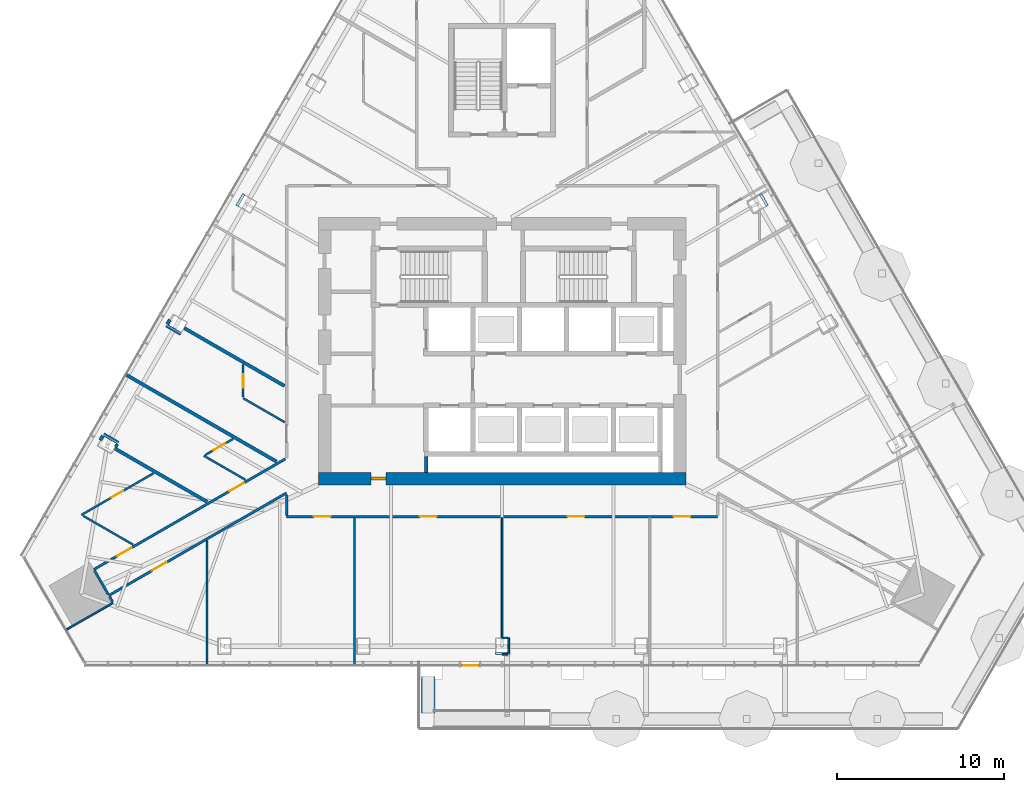
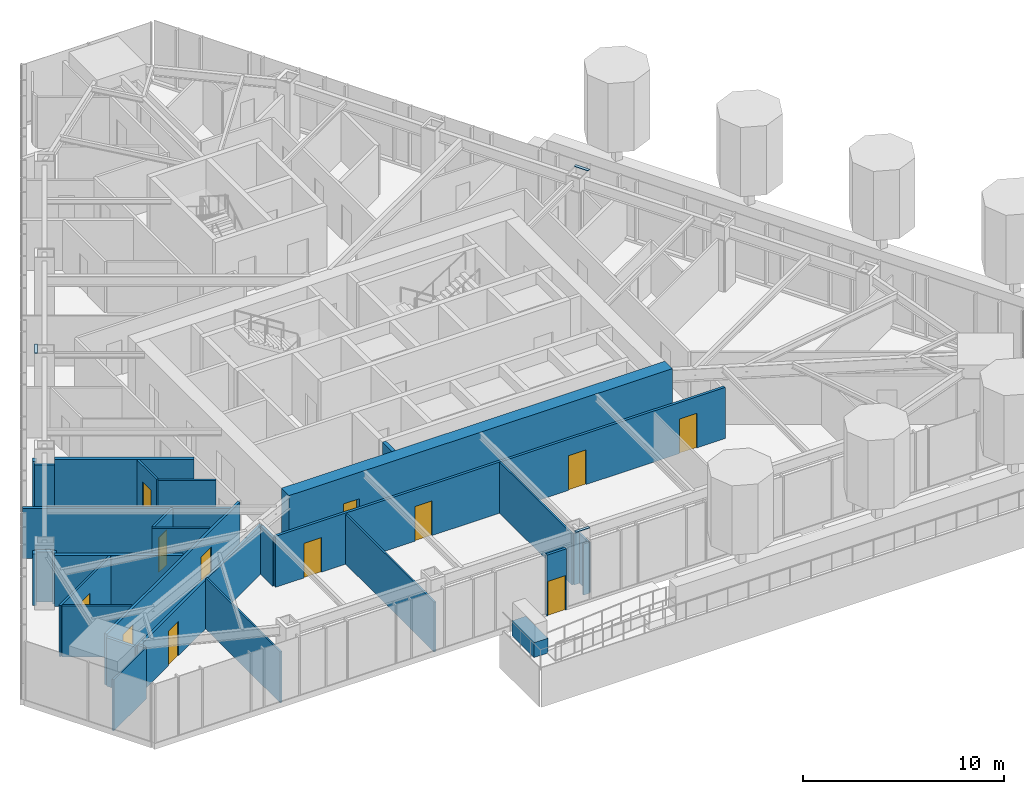
# One storey, part 11 of 18: 31 walls, 12 doors, 3 plates, 12 openings, 1 element without a shape of its own.
"""IFC4 building model written with IfcOpenShell, lengths in metres."""

from ifc_helpers import new_model, si_unit, direction, frame, frame_2d, origin, place, context, subcontext, project, spatial, polyline, rectangle, outline, extrude, material, layer, layer_set, type_object, element, fill, aggregate, save


model = new_model("IFC4")

# Units and contexts
model_context = context("Model", 3, precision=1e-05, world=origin(), true_north=direction((0.0, 1.0)))
body_context = subcontext(model_context, "Body", "Model", "MODEL_VIEW")
ifc_project = project(units=[si_unit("LENGTHUNIT", "METRE"), si_unit("AREAUNIT", "SQUARE_METRE"), si_unit("VOLUMEUNIT", "CUBIC_METRE"), si_unit("PLANEANGLEUNIT", "RADIAN"), si_unit("MASSUNIT", "GRAM", prefix="KILO")], contexts=[model_context])

# Site, building, storey
site_placement = place(None, origin())
site = spatial("IfcSite", under=ifc_project, at=site_placement, CompositionType="ELEMENT")
building_placement = place(site_placement, origin())
building = spatial("IfcBuilding", under=site, at=building_placement, Name="Firuza Gate Tower and Library", CompositionType="ELEMENT")
storey_placement = place(building_placement, frame((0.0, 0.0, 226.0)))
storey = spatial("IfcBuildingStorey", under=building, at=storey_placement, Name="L53", CompositionType="ELEMENT", Elevation=226.0)

# Plates
ifc_material_1 = material(Name="Steel S355", Category="steel")
ifc_layer_1 = layer(ifc_material_1, 0.030029296875)
ifc_layer_set_1 = layer_set([ifc_layer_1], Name="Column infill plate 30 Steel S355")
plate_type = type_object("IfcPlateType", Name="Column infill plate 30 Steel S355", PredefinedType="SHEET", material=ifc_layer_set_1)
placement = place(storey_placement, frame((0.0, 0.0, 3.89990234375)))
element("IfcPlate", 1, at=placement, inside=storey, type_object=plate_type, Name="Infill plate L53:S3", PredefinedType="SHEET", context=body_context, shape_type="SweptSolid", body=[
    extrude(outline(polyline([(75.39990234375, 56.836669921875), (75.39990234375, 56.99609375), (74.60009765625, 56.99609375), (74.60009765625, 56.836669921875), (75.39990234375, 56.836669921875)])), origin(), (0.0, 0.0, 1.0), 0.030029296875),
])
element("IfcPlate", 2, at=placement, inside=storey, type_object=plate_type, Name="Infill plate L53:E3", PredefinedType="SHEET", context=body_context, shape_type="SweptSolid", body=[
    extrude(outline(polyline([(90.530029296875, 84.42822265625), (90.391845703125, 84.348388671875), (90.7919921875, 83.655517578125), (90.06396484375, 83.2353515625), (90.06396484375, 83.2353515625), (90.929931640625, 83.7353515625), (90.530029296875, 84.42822265625)])), origin(), (0.0, 0.0, 1.0), 0.030029296875),
])
element("IfcPlate", 3, at=placement, inside=storey, type_object=plate_type, Name="Infill plate L53:W3", PredefinedType="SHEET", context=body_context, shape_type="SweptSolid", body=[
    extrude(outline(polyline([(59.93603515625, 83.2353515625), (59.93603515625, 83.2353515625), (59.2080078125, 83.655517578125), (59.608154296875, 84.348388671875), (59.469970703125, 84.42822265625), (59.070068359375, 83.7353515625), (59.93603515625, 83.2353515625)])), origin(), (0.0, 0.0, 1.0), 0.030029296875),
])

# Wall
ifc_material_2 = material(Name="Plasterboard on steel studs", Category="steel")
ifc_layer_2 = layer(ifc_material_2, 0.199951171875)
ifc_layer_set_2 = layer_set([ifc_layer_2], Name="Core partition 200 EI 120")
wall_type_1 = type_object("IfcWallType", Name="Core partition 200 EI 120", PredefinedType="PARTITIONING", material=ifc_layer_set_2)
wall_1_placement = place(storey_placement, frame((70.449951171875, 67.75, 0.0), z_axis=(0.0, 0.0, 1.0), x_axis=(0.0, 1.0, 0.0)))
element("IfcWall", 4, at=wall_1_placement, inside=storey, type_object=wall_type_1, Name="Core partition L53 9", PredefinedType="PARTITIONING", context=body_context, shape_type="SweptSolid", body=[
    extrude(rectangle(XDim=0.949951171875, YDim=0.199951171875, at=frame_2d((0.47509765625, 0.0))), origin(), (0.0, 0.0, 1.0), 3.699951171875),
])

# Wall, opening, door
ifc_material_3 = material(Name="Concrete C80/95", Category="concrete")
ifc_layer_3 = layer(ifc_material_3, 0.75)
ifc_layer_set_3 = layer_set([ifc_layer_3], Name="Core wall 750 C80/95")
wall_type_2 = type_object("IfcWallType", Name="Core wall 750 C80/95", PredefinedType="SHEAR", material=ifc_layer_set_3)
wall_2_placement = place(storey_placement, frame((64.0, 67.375, 0.0), z_axis=(0.0, 0.0, 1.0), x_axis=(1.0, 0.0, 0.0)))
wall_2 = element("IfcWall", 5, at=wall_2_placement, inside=storey, type_object=wall_type_2, Name="Core wall L53 1", PredefinedType="SHEAR", context=body_context, shape_type="SweptSolid", body=[
    extrude(rectangle(XDim=22.0, YDim=0.75, at=frame_2d((11.0, 0.0))), origin(), (0.0, 0.0, 1.0), 3.699951171875),
])
opening_1_placement = place(wall_2_placement, frame((3.14990234375, 0.0, 0.0)))
opening_1 = element("IfcOpeningElement", 6, at=opening_1_placement, cuts=wall_2, Name="Opening L53-K22", PredefinedType="OPENING", context=body_context, shape_type="SweptSolid", body=[
    extrude(rectangle(XDim=0.89990234375, YDim=2.10009765625, at=frame_2d((0.449951171875, 1.050048828125))), frame((0.0, 0.385009765625, 0.0), z_axis=(0.0, -1.0, 0.0), x_axis=(1.0, 0.0, 0.0)), (0.0, 0.0, 1.0), 0.77001953125),
])
ifc_material_4 = material(Name="Steel", Category="steel")
door_type_1 = type_object("IfcDoorType", Name="Fire door 900x2100 FD30S", OperationType="NOTDEFINED", PredefinedType="DOOR", material=ifc_material_4)
door_1_placement = place(opening_1_placement, origin())
door_1 = element("IfcDoor", 7, at=door_1_placement, inside=storey, type_object=door_type_1, Name="Door L53-K22", OperationType="SINGLE_SWING_LEFT", OverallHeight=2.10009765625, OverallWidth=0.89990234375, PredefinedType="DOOR", context=body_context, shape_type="SweptSolid", body=[
    extrude(rectangle(XDim=0.89990234375, YDim=2.10009765625, at=frame_2d((0.449951171875, 1.050048828125))), frame((0.0, 0.094970703125, 0.0), z_axis=(0.0, -1.0, 0.0), x_axis=(1.0, 0.0, 0.0)), (0.0, 0.0, 1.0), 0.18994140625),
])
fill(opening_1, door_1)

# Wall, openings, doors
ifc_material_5 = material(Name="Gypsum board partition")
ifc_layer_4 = layer(ifc_material_5, 0.14990234375)
ifc_layer_set_4 = layer_set([ifc_layer_4], Name="Corridor wall 150 double board on steel studs")
wall_type_3 = type_object("IfcWallType", Name="Corridor wall 150 double board on steel studs", PredefinedType="PARTITIONING", material=ifc_layer_set_4)
wall_3_placement = place(storey_placement, frame((87.8994140625, 65.10009765625, 0.0), z_axis=(0.0, 0.0, 1.0), x_axis=(-1.0, 0.0, 0.0)))
wall_3 = element("IfcWall", 8, at=wall_3_placement, inside=storey, type_object=wall_type_3, Name="f:L53:w002", PredefinedType="PARTITIONING", context=body_context, shape_type="SweptSolid", body=[
    extrude(rectangle(XDim=25.798828125, YDim=0.14990234375, at=frame_2d((12.8994140625, 0.0))), origin(), (0.0, 0.0, 1.0), 3.10009765625),
])
opening_2_placement = place(wall_3_placement, frame((1.6357421875, 0.0, 0.0)))
opening_2 = element("IfcOpeningElement", 9, at=opening_2_placement, cuts=wall_3, Name="Opening L53-01", PredefinedType="OPENING", context=body_context, shape_type="SweptSolid", body=[
    extrude(rectangle(XDim=1.0, YDim=2.10009765625, at=frame_2d((0.5, 1.050048828125))), frame((0.0, 0.0849609375, 0.0), z_axis=(0.0, -1.0, 0.0), x_axis=(1.0, 0.0, 0.0)), (0.0, 0.0, 1.0), 0.169921875),
])
opening_3_placement = place(wall_3_placement, frame((7.98388671875, 0.0, 0.0)))
opening_3 = element("IfcOpeningElement", 10, at=opening_3_placement, cuts=wall_3, Name="Opening L53-02", PredefinedType="OPENING", context=body_context, shape_type="SweptSolid", body=[
    extrude(rectangle(XDim=1.0, YDim=2.10009765625, at=frame_2d((0.5, 1.050048828125))), frame((0.0, 0.0849609375, 0.0), z_axis=(0.0, -1.0, 0.0), x_axis=(1.0, 0.0, 0.0)), (0.0, 0.0, 1.0), 0.169921875),
])
opening_4_placement = place(wall_3_placement, frame((16.81494140625, 0.0, 0.0)))
opening_4 = element("IfcOpeningElement", 11, at=opening_4_placement, cuts=wall_3, Name="Opening L53-03", PredefinedType="OPENING", context=body_context, shape_type="SweptSolid", body=[
    extrude(rectangle(XDim=1.0, YDim=2.10009765625, at=frame_2d((0.5, 1.050048828125))), frame((0.0, 0.0849609375, 0.0), z_axis=(0.0, -1.0, 0.0), x_axis=(1.0, 0.0, 0.0)), (0.0, 0.0, 1.0), 0.169921875),
])
opening_5_placement = place(wall_3_placement, frame((23.163330078125, 0.0, 0.0)))
opening_5 = element("IfcOpeningElement", 12, at=opening_5_placement, cuts=wall_3, Name="Opening L53-04", PredefinedType="OPENING", context=body_context, shape_type="SweptSolid", body=[
    extrude(rectangle(XDim=1.0, YDim=2.10009765625, at=frame_2d((0.5, 1.050048828125))), frame((0.0, 0.0849609375, 0.0), z_axis=(0.0, -1.0, 0.0), x_axis=(1.0, 0.0, 0.0)), (0.0, 0.0, 1.0), 0.169921875),
])
ifc_material_6 = material(Name="Steel door and timber leaf", Category="steel")
door_type_2 = type_object("IfcDoorType", Name="Fire door 1000 x 2100 steel frame, timber leaf", OperationType="NOTDEFINED", PredefinedType="DOOR", material=ifc_material_6)
door_2_placement = place(opening_2_placement, origin())
door_2 = element("IfcDoor", 13, at=door_2_placement, inside=storey, type_object=door_type_2, Name="f:L53:d001", OperationType="SINGLE_SWING_RIGHT", OverallHeight=2.10009765625, OverallWidth=1.0, PredefinedType="DOOR", context=body_context, shape_type="SweptSolid", body=[
    extrude(rectangle(XDim=1.0, YDim=2.10009765625, at=frame_2d((0.5, 1.050048828125))), frame((0.0, 0.02490234375, 0.0), z_axis=(0.0, -1.0, 0.0), x_axis=(1.0, 0.0, 0.0)), (0.0, 0.0, 1.0), 0.050048828125),
])
fill(opening_2, door_2)
door_3_placement = place(opening_3_placement, origin())
door_3 = element("IfcDoor", 14, at=door_3_placement, inside=storey, type_object=door_type_2, Name="f:L53:d002", OperationType="SINGLE_SWING_LEFT", OverallHeight=2.10009765625, OverallWidth=1.0, PredefinedType="DOOR", context=body_context, shape_type="SweptSolid", body=[
    extrude(rectangle(XDim=1.0, YDim=2.10009765625, at=frame_2d((0.5, 1.050048828125))), frame((0.0, 0.02490234375, 0.0), z_axis=(0.0, -1.0, 0.0), x_axis=(1.0, 0.0, 0.0)), (0.0, 0.0, 1.0), 0.050048828125),
])
fill(opening_3, door_3)
door_4_placement = place(opening_4_placement, origin())
door_4 = element("IfcDoor", 15, at=door_4_placement, inside=storey, type_object=door_type_2, Name="f:L53:d003", OperationType="SINGLE_SWING_RIGHT", OverallHeight=2.10009765625, OverallWidth=1.0, PredefinedType="DOOR", context=body_context, shape_type="SweptSolid", body=[
    extrude(rectangle(XDim=1.0, YDim=2.10009765625, at=frame_2d((0.5, 1.050048828125))), frame((0.0, 0.02490234375, 0.0), z_axis=(0.0, -1.0, 0.0), x_axis=(1.0, 0.0, 0.0)), (0.0, 0.0, 1.0), 0.050048828125),
])
fill(opening_4, door_4)
door_5_placement = place(opening_5_placement, origin())
door_5 = element("IfcDoor", 16, at=door_5_placement, inside=storey, type_object=door_type_2, Name="f:L53:d004", OperationType="SINGLE_SWING_LEFT", OverallHeight=2.10009765625, OverallWidth=1.0, PredefinedType="DOOR", context=body_context, shape_type="SweptSolid", body=[
    extrude(rectangle(XDim=1.0, YDim=2.10009765625, at=frame_2d((0.5, 1.050048828125))), frame((0.0, 0.02490234375, 0.0), z_axis=(0.0, -1.0, 0.0), x_axis=(1.0, 0.0, 0.0)), (0.0, 0.0, 1.0), 0.050048828125),
])
fill(opening_5, door_5)

# Wall, opening, door
wall_4_placement = place(storey_placement, frame((62.099853515625, 66.512939453125, 0.0), z_axis=(0.0, 0.0, 1.0), x_axis=(-0.866027942666, -0.499995602502, 0.0)))
wall_4 = element("IfcWall", 17, at=wall_4_placement, inside=storey, type_object=wall_type_3, Name="f:L53:w018", PredefinedType="PARTITIONING", context=body_context, shape_type="SweptSolid", body=[
    extrude(rectangle(XDim=12.27587890625, YDim=0.14990234375, at=frame_2d((6.137939453125, 0.0))), origin(), (0.0, 0.0, 1.0), 2.947021484375),
])
opening_6_placement = place(wall_4_placement, frame((8.285888671875, 0.0, 0.0)))
opening_6 = element("IfcOpeningElement", 18, at=opening_6_placement, cuts=wall_4, Name="Opening L53-11", PredefinedType="OPENING", context=body_context, shape_type="SweptSolid", body=[
    extrude(rectangle(XDim=1.0, YDim=2.10009765625, at=frame_2d((0.5, 1.050048828125))), frame((0.0, 0.0849609375, 0.0), z_axis=(0.0, -1.0, 0.0), x_axis=(1.0, 0.0, 0.0)), (0.0, 0.0, 1.0), 0.169921875),
])
door_6_placement = place(opening_6_placement, origin())
door_6 = element("IfcDoor", 19, at=door_6_placement, inside=storey, type_object=door_type_2, Name="f:L53:d011", OperationType="SINGLE_SWING_RIGHT", OverallHeight=2.10009765625, OverallWidth=1.0, PredefinedType="DOOR", context=body_context, shape_type="SweptSolid", body=[
    extrude(rectangle(XDim=1.0, YDim=2.10009765625, at=frame_2d((0.5, 1.050048828125))), frame((0.0, 0.02490234375, 0.0), z_axis=(0.0, -1.0, 0.0), x_axis=(1.0, 0.0, 0.0)), (0.0, 0.0, 1.0), 0.050048828125),
])
fill(opening_6, door_6)

# Wall, openings, doors
wall_5_placement = place(storey_placement, frame((50.56884765625, 61.93408203125, 0.0), z_axis=(0.0, 0.0, 1.0), x_axis=(0.866030071145, 0.499991915808, 0.0)))
wall_5 = element("IfcWall", 20, at=wall_5_placement, inside=storey, type_object=wall_type_3, Name="f:L53:w022", PredefinedType="PARTITIONING", context=body_context, shape_type="SweptSolid", body=[
    extrude(rectangle(XDim=13.228271484375, YDim=0.14990234375, at=frame_2d((6.6142578125, 0.0))), origin(), (0.0, 0.0, 1.0), 3.10009765625),
])
opening_7_placement = place(wall_5_placement, frame((1.59716796875, 0.0, 0.0)))
opening_7 = element("IfcOpeningElement", 21, at=opening_7_placement, cuts=wall_5, Name="Opening L53-13", PredefinedType="OPENING", context=body_context, shape_type="SweptSolid", body=[
    extrude(rectangle(XDim=1.0, YDim=2.10009765625, at=frame_2d((0.5, 1.050048828125))), frame((0.0, 0.0849609375, 0.0), z_axis=(0.0, -1.0, 0.0), x_axis=(1.0, 0.0, 0.0)), (0.0, 0.0, 1.0), 0.169921875),
])
opening_8_placement = place(wall_5_placement, frame((9.359619140625, 0.0, 0.0)))
opening_8 = element("IfcOpeningElement", 22, at=opening_8_placement, cuts=wall_5, Name="Opening L53-14", PredefinedType="OPENING", context=body_context, shape_type="SweptSolid", body=[
    extrude(rectangle(XDim=1.0, YDim=2.10009765625, at=frame_2d((0.5, 1.050048828125))), frame((0.0, 0.0849609375, 0.0), z_axis=(0.0, -1.0, 0.0), x_axis=(1.0, 0.0, 0.0)), (0.0, 0.0, 1.0), 0.169921875),
])
door_7_placement = place(opening_7_placement, origin())
door_7 = element("IfcDoor", 23, at=door_7_placement, inside=storey, type_object=door_type_2, Name="f:L53:d013", OperationType="SINGLE_SWING_RIGHT", OverallHeight=2.10009765625, OverallWidth=1.0, PredefinedType="DOOR", context=body_context, shape_type="SweptSolid", body=[
    extrude(rectangle(XDim=1.0, YDim=2.10009765625, at=frame_2d((0.5, 1.050048828125))), frame((0.0, 0.02490234375, 0.0), z_axis=(0.0, -1.0, 0.0), x_axis=(1.0, 0.0, 0.0)), (0.0, 0.0, 1.0), 0.050048828125),
])
fill(opening_7, door_7)
door_8_placement = place(opening_8_placement, origin())
door_8 = element("IfcDoor", 24, at=door_8_placement, inside=storey, type_object=door_type_2, Name="f:L53:d014", OperationType="SINGLE_SWING_RIGHT", OverallHeight=2.10009765625, OverallWidth=1.0, PredefinedType="DOOR", context=body_context, shape_type="SweptSolid", body=[
    extrude(rectangle(XDim=1.0, YDim=2.10009765625, at=frame_2d((0.5, 1.050048828125))), frame((0.0, 0.02490234375, 0.0), z_axis=(0.0, -1.0, 0.0), x_axis=(1.0, 0.0, 0.0)), (0.0, 0.0, 1.0), 0.050048828125),
])
fill(opening_8, door_8)

# Walls
wall_6_placement = place(storey_placement, frame((62.10009765625, 65.175537109375, 0.0), z_axis=(0.0, 0.0, 1.0), x_axis=(0.0, 1.0, 0.0)))
element("IfcWall", 25, at=wall_6_placement, inside=storey, type_object=wall_type_3, Name="f:L53:w057", PredefinedType="PARTITIONING", context=body_context, shape_type="SweptSolid", body=[
    extrude(rectangle(XDim=1.20068359375, YDim=0.14990234375, at=frame_2d((0.600341796875, 0.0))), origin(), (0.0, 0.0, 1.0), 2.947021484375),
])
wall_7_placement = place(storey_placement, frame((51.69287109375, 59.9853515625, 0.0), z_axis=(0.0, 0.0, 1.0), x_axis=(-0.499854089722, 0.866109628736, 0.0)))
element("IfcWall", 26, at=wall_7_placement, inside=storey, type_object=wall_type_3, Name="f:L53:w066", PredefinedType="PARTITIONING", context=body_context, shape_type="SweptSolid", body=[
    extrude(rectangle(XDim=0.37451171875, YDim=0.14990234375, at=frame_2d((0.187255859375, 0.0))), origin(), (0.0, 0.0, 1.0), 3.10009765625),
])
wall_8_placement = place(storey_placement, frame((51.4306640625, 60.439697265625, 0.0), z_axis=(0.0, 0.0, 1.0), x_axis=(-0.499991515992, 0.866030301974, 0.0)))
element("IfcWall", 27, at=wall_8_placement, inside=storey, type_object=wall_type_3, Name="f:L53:w087", PredefinedType="PARTITIONING", context=body_context, shape_type="SweptSolid", body=[
    extrude(rectangle(XDim=1.6494140625, YDim=0.14990234375, at=frame_2d((0.82470703125, 0.0))), origin(), (0.0, 0.0, 1.0), 2.947021484375),
])
ifc_material_7 = material(Name="Gypsum board partition")
ifc_layer_5 = layer(ifc_material_7, 0.199951171875)
ifc_layer_set_5 = layer_set([ifc_layer_5], Name="Demising wall 200 acoustic double stud")
wall_type_4 = type_object("IfcWallType", Name="Demising wall 200 acoustic double stud", PredefinedType="PARTITIONING", material=ifc_layer_set_5)
wall_9_placement = place(storey_placement, frame((51.8681640625, 69.262451171875, 0.0), z_axis=(0.0, 0.0, 1.0), x_axis=(0.500359323436, 0.865817848887, 0.0)))
element("IfcWall", 28, at=wall_9_placement, inside=storey, type_object=wall_type_4, Name="f:L53:w034", PredefinedType="PARTITIONING", context=body_context, shape_type="SweptSolid", body=[
    extrude(rectangle(XDim=0.198974609375, YDim=0.199951171875, at=frame_2d((0.099609375, 0.0))), origin(), (0.0, 0.0, 1.0), 3.10009765625),
])
wall_10_placement = place(storey_placement, frame((50.9521484375, 69.67578125, 0.0), z_axis=(0.0, 0.0, 1.0), x_axis=(0.500264001326, 0.865872928886, 0.0)))
element("IfcWall", 29, at=wall_10_placement, inside=storey, type_object=wall_type_4, Name="f:L53:w035", PredefinedType="PARTITIONING", context=body_context, shape_type="SweptSolid", body=[
    extrude(rectangle(XDim=0.299072265625, YDim=0.199951171875, at=frame_2d((0.1494140625, 0.0))), origin(), (0.0, 0.0, 1.0), 3.10009765625),
])
wall_11_placement = place(storey_placement, frame((54.960693359375, 76.618896484375, 0.0), z_axis=(0.0, 0.0, 1.0), x_axis=(0.500426713919, 0.865778900179, 0.0)))
element("IfcWall", 30, at=wall_11_placement, inside=storey, type_object=wall_type_4, Name="f:L53:w036", PredefinedType="PARTITIONING", context=body_context, shape_type="SweptSolid", body=[
    extrude(rectangle(XDim=0.300048828125, YDim=0.199951171875, at=frame_2d((0.14990234375, 0.0))), origin(), (0.0, 0.0, 1.0), 3.10009765625),
])
wall_12_placement = place(storey_placement, frame((61.972900390625, 72.91650390625, 0.0), z_axis=(0.0, 0.0, 1.0), x_axis=(-0.866027621823, 0.499996158224, 0.0)))
element("IfcWall", 31, at=wall_12_placement, inside=storey, type_object=wall_type_4, Name="f:L53:w078", PredefinedType="PARTITIONING", context=body_context, shape_type="SweptSolid", body=[
    extrude(rectangle(XDim=6.92333984375, YDim=0.199951171875, at=frame_2d((3.461669921875, 0.0))), origin(), (0.0, 0.0, 1.0), 3.10009765625),
])
wall_13_placement = place(storey_placement, frame((55.777099609375, 76.03173828125, 0.0), z_axis=(0.0, 0.0, 1.0), x_axis=(-0.866010750942, 0.50002537861, 0.0)))
element("IfcWall", 32, at=wall_13_placement, inside=storey, type_object=wall_type_4, Name="f:L53:w079", PredefinedType="PARTITIONING", context=body_context, shape_type="SweptSolid", body=[
    extrude(rectangle(XDim=1.0, YDim=0.199951171875, at=frame_2d((0.5, 0.0))), origin(), (0.0, 0.0, 1.0), 3.02197265625),
])
wall_14_placement = place(storey_placement, frame((61.496826171875, 68.39013671875, 0.0), z_axis=(0.0, 0.0, 1.0), x_axis=(-0.866030396021, 0.499991353094, 0.0)))
element("IfcWall", 33, at=wall_14_placement, inside=storey, type_object=wall_type_4, Name="f:L53:w081", PredefinedType="PARTITIONING", context=body_context, shape_type="SweptSolid", body=[
    extrude(rectangle(XDim=10.374267578125, YDim=0.199951171875, at=frame_2d((5.18701171875, 0.0))), origin(), (0.0, 0.0, 1.0), 3.02197265625),
])
wall_15_placement = place(storey_placement, frame((52.01806640625, 69.522216796875, 0.0), z_axis=(0.0, 0.0, 1.0), x_axis=(-0.86597798544, 0.50008212199, 0.0)))
element("IfcWall", 34, at=wall_15_placement, inside=storey, type_object=wall_type_4, Name="f:L53:w083", PredefinedType="PARTITIONING", context=body_context, shape_type="SweptSolid", body=[
    extrude(rectangle(XDim=0.998779296875, YDim=0.199951171875, at=frame_2d((0.49951171875, 0.0))), origin(), (0.0, 0.0, 1.0), 3.02197265625),
])
wall_16_placement = place(storey_placement, frame((57.337890625, 65.98876953125, 0.0), z_axis=(0.0, 0.0, 1.0), x_axis=(-0.866008861407, 0.500028651143, 0.0)))
element("IfcWall", 35, at=wall_16_placement, inside=storey, type_object=wall_type_4, Name="f:L53:w084", PredefinedType="PARTITIONING", context=body_context, shape_type="SweptSolid", body=[
    extrude(rectangle(XDim=6.372802734375, YDim=0.199951171875, at=frame_2d((3.1865234375, 0.0))), origin(), (0.0, 0.0, 1.0), 3.10009765625),
])
ifc_material_8 = material(Name="Gypsum board partition")
ifc_layer_6 = layer(ifc_material_8, 0.10009765625)
ifc_layer_set_6 = layer_set([ifc_layer_6], Name="Partition 100 gypsum board on steel studs")
wall_type_5 = type_object("IfcWallType", Name="Partition 100 gypsum board on steel studs", PredefinedType="PARTITIONING", material=ifc_layer_set_6)
wall_17_placement = place(storey_placement, frame((75.0, 56.8369140625, 0.0), z_axis=(0.0, 0.0, 1.0), x_axis=(1.0, 0.0, 0.0)))
element("IfcWall", 36, at=wall_17_placement, inside=storey, type_object=wall_type_5, Name="f:L53:w000", PredefinedType="PARTITIONING", context=body_context, shape_type="SweptSolid", body=[
    extrude(rectangle(XDim=0.349609375, YDim=0.10009765625, at=frame_2d((0.1748046875, 0.0))), origin(), (0.0, 0.0, 1.0), 3.10009765625),
])
wall_18_placement = place(storey_placement, frame((75.050048828125, 57.8369140625, 0.0), z_axis=(0.0, 0.0, 1.0), x_axis=(1.0, 0.0, 0.0)))
element("IfcWall", 37, at=wall_18_placement, inside=storey, type_object=wall_type_5, Name="f:L53:w001", PredefinedType="PARTITIONING", context=body_context, shape_type="SweptSolid", body=[
    extrude(rectangle(XDim=0.299560546875, YDim=0.10009765625, at=frame_2d((0.14990234375, 0.0))), origin(), (0.0, 0.0, 1.0), 3.10009765625),
])
wall_19_placement = place(storey_placement, frame((48.895263671875, 58.31201171875, 0.0), z_axis=(0.0, 0.0, 1.0), x_axis=(0.866035906198, 0.499981808845, 0.0)))
element("IfcWall", 38, at=wall_19_placement, inside=storey, type_object=wall_type_5, Name="f:L53:w017", PredefinedType="PARTITIONING", context=body_context, shape_type="SweptSolid", body=[
    extrude(rectangle(XDim=3.25927734375, YDim=0.10009765625, at=frame_2d((1.629638671875, 0.0))), origin(), (0.0, 0.0, 1.0), 3.10009765625),
])
wall_20_placement = place(storey_placement, frame((75.39990234375, 56.837158203125, 0.0), z_axis=(0.0, 0.0, 1.0), x_axis=(0.0, 1.0, 0.0)))
element("IfcWall", 39, at=wall_20_placement, inside=storey, type_object=wall_type_5, Name="f:L53:w048", PredefinedType="PARTITIONING", context=body_context, shape_type="SweptSolid", body=[
    extrude(rectangle(XDim=0.9990234375, YDim=0.10009765625, at=frame_2d((0.49951171875, 0.0))), origin(), (0.0, 0.0, 1.0), 3.02197265625),
])
wall_21_placement = place(storey_placement, frame((75.0, 57.836669921875, 0.0), z_axis=(0.0, 0.0, 1.0), x_axis=(0.0, 1.0, 0.0)))
element("IfcWall", 40, at=wall_21_placement, inside=storey, type_object=wall_type_5, Name="f:L53:w049", PredefinedType="PARTITIONING", context=body_context, shape_type="SweptSolid", body=[
    extrude(rectangle(XDim=7.188232421875, YDim=0.10009765625, at=frame_2d((3.59423828125, 0.0))), origin(), (0.0, 0.0, 1.0), 3.10009765625),
])
wall_22_placement = place(storey_placement, frame((66.1689453125, 56.236572265625, 0.0), z_axis=(0.0, 0.0, 1.0), x_axis=(0.0, 1.0, 0.0)))
element("IfcWall", 41, at=wall_22_placement, inside=storey, type_object=wall_type_5, Name="f:L53:w056", PredefinedType="PARTITIONING", context=body_context, shape_type="SweptSolid", body=[
    extrude(rectangle(XDim=8.788330078125, YDim=0.10009765625, at=frame_2d((4.39404296875, 0.0))), origin(), (0.0, 0.0, 1.0), 3.02197265625),
])
wall_23_placement = place(storey_placement, frame((57.337890625, 56.236572265625, 0.0), z_axis=(0.0, 0.0, 1.0), x_axis=(0.0, 1.0, 0.0)))
element("IfcWall", 42, at=wall_23_placement, inside=storey, type_object=wall_type_5, Name="f:L53:w061", PredefinedType="PARTITIONING", context=body_context, shape_type="SweptSolid", body=[
    extrude(rectangle(XDim=7.410400390625, YDim=0.10009765625, at=frame_2d((3.705078125, 0.0))), origin(), (0.0, 0.0, 1.0), 3.10009765625),
])
ifc_material_9 = material(Name="Concrete C40/50", Category="concrete")
ifc_layer_7 = layer(ifc_material_9, 0.800048828125)
ifc_layer_set_7 = layer_set([ifc_layer_7], Name="Planter wall 800")
wall_type_6 = type_object("IfcWallType", Name="Planter wall 800", PredefinedType="SOLIDWALL", material=ifc_layer_set_7)
wall_24_placement = place(storey_placement, frame((70.575927734375, 55.53662109375, 0.0), z_axis=(0.0, 0.0, 1.0), x_axis=(0.0, -1.0, 0.0)))
element("IfcWall", 43, at=wall_24_placement, inside=storey, type_object=wall_type_6, Name="PLANTER L53 1", PredefinedType="SOLIDWALL", context=body_context, shape_type="SweptSolid", body=[
    extrude(rectangle(XDim=2.199951171875, YDim=0.800048828125, at=frame_2d((1.10009765625, 0.0))), origin(), (0.0, 0.0, 1.0), 0.89990234375),
])

# Curtain wall, wall, opening, door
ifc_material_10 = material(Name="Aluminium 6063-T6", Category="aluminium")
ifc_layer_8 = layer(ifc_material_10, 0.14990234375)
ifc_layer_set_8 = layer_set([ifc_layer_8], Name="Unitised curtain wall, hotel")
curtain_wall_type = type_object("IfcCurtainWallType", Name="Unitised curtain wall, hotel", PredefinedType="NOTDEFINED", material=ifc_layer_set_8)
curtain_wall_placement = place(storey_placement, origin())
curtain_wall = element("IfcCurtainWall", 44, at=curtain_wall_placement, inside=storey, type_object=curtain_wall_type, Name="CW2 L53 S face", PredefinedType="NOTDEFINED")
ifc_material_11 = material(Name="Aluminium 6063-T6", Category="aluminium")
ifc_layer_9 = layer(ifc_material_11, 0.14990234375)
ifc_layer_set_9 = layer_set([ifc_layer_9], Name="Terrace door wall 150")
wall_type_7 = type_object("IfcWallType", Name="Terrace door wall 150", PredefinedType="SOLIDWALL", material=ifc_layer_set_9)
wall_25_placement = place(storey_placement, frame((72.528076171875, 56.191650390625, 0.0), z_axis=(0.0, 0.0, 1.0), x_axis=(1.0, 0.0, 0.0)))
wall_25 = element("IfcWall", 45, at=wall_25_placement, type_object=wall_type_7, Name="Terrace door wall", PredefinedType="SOLIDWALL", context=body_context, shape_type="SweptSolid", body=[
    extrude(rectangle(XDim=1.119873046875, YDim=0.14990234375, at=frame_2d((0.56005859375, 0.0))), origin(), (0.0, 0.0, 1.0), 3.699951171875),
])
opening_9_placement = place(wall_25_placement, frame((0.06005859375, 0.0, 0.0)))
opening_9 = element("IfcOpeningElement", 46, at=opening_9_placement, cuts=wall_25, Name="Opening DR6", PredefinedType="OPENING", context=body_context, shape_type="SweptSolid", body=[
    extrude(rectangle(XDim=1.0, YDim=2.10009765625, at=frame_2d((0.5, 1.050048828125))), frame((0.0, 0.0849609375, 0.0), z_axis=(0.0, -1.0, 0.0), x_axis=(1.0, 0.0, 0.0)), (0.0, 0.0, 1.0), 0.169921875),
])
ifc_material_12 = material(Name="Aluminium 6063-T6 and glass", Category="aluminium")
door_type_3 = type_object("IfcDoorType", Name="Terrace door 1000x2100", OperationType="NOTDEFINED", PredefinedType="DOOR", material=ifc_material_12)
door_9_placement = place(opening_9_placement, origin())
door_9 = element("IfcDoor", 47, at=door_9_placement, inside=storey, type_object=door_type_3, Name="Terrace door", OperationType="SINGLE_SWING_RIGHT", OverallHeight=2.10009765625, OverallWidth=1.0, PredefinedType="DOOR", context=body_context, shape_type="SweptSolid", body=[
    extrude(rectangle(XDim=1.0, YDim=2.10009765625, at=frame_2d((0.5, 1.050048828125))), frame((0.0, 0.02490234375, 0.0), z_axis=(0.0, -1.0, 0.0), x_axis=(1.0, 0.0, 0.0)), (0.0, 0.0, 1.0), 0.050048828125),
])
fill(opening_9, door_9)
aggregate(curtain_wall, [wall_25])

# Wall, opening, door
ifc_material_13 = material(Name="Gypsum board partition")
ifc_layer_10 = layer(ifc_material_13, 0.1201171875)
ifc_layer_set_10 = layer_set([ifc_layer_10], Name="Wet-area partition 120 moisture-resistant board")
wall_type_8 = type_object("IfcWallType", Name="Wet-area partition 120 moisture-resistant board", PredefinedType="PARTITIONING", material=ifc_layer_set_10)
wall_26_placement = place(storey_placement, frame((58.888916015625, 69.73974609375, 0.0), z_axis=(0.0, 0.0, 1.0), x_axis=(-0.866039783157, -0.499975093369, 0.0)))
wall_26 = element("IfcWall", 48, at=wall_26_placement, inside=storey, type_object=wall_type_8, Name="f:L53:w023", PredefinedType="PARTITIONING", context=body_context, shape_type="SweptSolid", body=[
    extrude(rectangle(XDim=1.89599609375, YDim=0.1201171875, at=frame_2d((0.947998046875, 0.0))), origin(), (0.0, 0.0, 1.0), 3.10009765625),
])
opening_10_placement = place(wall_26_placement, frame((0.548095703125, 0.0, 0.0)))
opening_10 = element("IfcOpeningElement", 49, at=opening_10_placement, cuts=wall_26, Name="Opening L53-15", PredefinedType="OPENING", context=body_context, shape_type="SweptSolid", body=[
    extrude(rectangle(XDim=0.800048828125, YDim=2.10009765625, at=frame_2d((0.39990234375, 1.050048828125))), frame((0.0, 0.070068359375, 0.0), z_axis=(0.0, -1.0, 0.0), x_axis=(1.0, 0.0, 0.0)), (0.0, 0.0, 1.0), 0.14013671875),
])
ifc_material_14 = material(Name="Timber door", Category="wood")
door_type_4 = type_object("IfcDoorType", Name="Door 800 x 2100 timber leaf", OperationType="NOTDEFINED", PredefinedType="DOOR", material=ifc_material_14)
door_10_placement = place(opening_10_placement, origin())
door_10 = element("IfcDoor", 50, at=door_10_placement, inside=storey, type_object=door_type_4, Name="f:L53:d015", OperationType="SINGLE_SWING_RIGHT", OverallHeight=2.10009765625, OverallWidth=0.800048828125, PredefinedType="DOOR", context=body_context, shape_type="SweptSolid", body=[
    extrude(rectangle(XDim=0.800048828125, YDim=2.10009765625, at=frame_2d((0.39990234375, 1.050048828125))), frame((0.0, 0.02490234375, 0.0), z_axis=(0.0, -1.0, 0.0), x_axis=(1.0, 0.0, 0.0)), (0.0, 0.0, 1.0), 0.050048828125),
])
fill(opening_10, door_10)

wall_27_placement = place(storey_placement, frame((54.130126953125, 67.68505859375, 0.0), z_axis=(0.0, 0.0, 1.0), x_axis=(-0.866020232408, -0.500008956979, 0.0)))
wall_27 = element("IfcWall", 51, at=wall_27_placement, inside=storey, type_object=wall_type_8, Name="f:L53:w024", PredefinedType="PARTITIONING", context=body_context, shape_type="SweptSolid", body=[
    extrude(rectangle(XDim=4.966796875, YDim=0.1201171875, at=frame_2d((2.4833984375, 0.0))), origin(), (0.0, 0.0, 1.0), 3.10009765625),
])
opening_11_placement = place(wall_27_placement, frame((2.08349609375, 0.0, 0.0)))
opening_11 = element("IfcOpeningElement", 52, at=opening_11_placement, cuts=wall_27, Name="Opening L53-16", PredefinedType="OPENING", context=body_context, shape_type="SweptSolid", body=[
    extrude(rectangle(XDim=0.800048828125, YDim=2.10009765625, at=frame_2d((0.39990234375, 1.050048828125))), frame((0.0, 0.070068359375, 0.0), z_axis=(0.0, -1.0, 0.0), x_axis=(1.0, 0.0, 0.0)), (0.0, 0.0, 1.0), 0.14013671875),
])
door_11_placement = place(opening_11_placement, origin())
door_11 = element("IfcDoor", 53, at=door_11_placement, inside=storey, type_object=door_type_4, Name="f:L53:d016", OperationType="SINGLE_SWING_RIGHT", OverallHeight=2.10009765625, OverallWidth=0.800048828125, PredefinedType="DOOR", context=body_context, shape_type="SweptSolid", body=[
    extrude(rectangle(XDim=0.800048828125, YDim=2.10009765625, at=frame_2d((0.39990234375, 1.050048828125))), frame((0.0, 0.02490234375, 0.0), z_axis=(0.0, -1.0, 0.0), x_axis=(1.0, 0.0, 0.0)), (0.0, 0.0, 1.0), 0.050048828125),
])
fill(opening_11, door_11)

wall_28_placement = place(storey_placement, frame((59.5, 74.189208984375, 0.0), z_axis=(0.0, 0.0, 1.0), x_axis=(0.0, -1.0, 0.0)))
wall_28 = element("IfcWall", 54, at=wall_28_placement, inside=storey, type_object=wall_type_8, Name="f:L53:w059", PredefinedType="PARTITIONING", context=body_context, shape_type="SweptSolid", body=[
    extrude(rectangle(XDim=1.936279296875, YDim=0.1201171875, at=frame_2d((0.96826171875, 0.0))), origin(), (0.0, 0.0, 1.0), 3.10009765625),
])
opening_12_placement = place(wall_28_placement, frame((0.568115234375, 0.0, 0.0)))
opening_12 = element("IfcOpeningElement", 55, at=opening_12_placement, cuts=wall_28, Name="Opening L53-28", PredefinedType="OPENING", context=body_context, shape_type="SweptSolid", body=[
    extrude(rectangle(XDim=0.800048828125, YDim=2.10009765625, at=frame_2d((0.39990234375, 1.050048828125))), frame((0.0, 0.070068359375, 0.0), z_axis=(0.0, -1.0, 0.0), x_axis=(1.0, 0.0, 0.0)), (0.0, 0.0, 1.0), 0.14013671875),
])
door_12_placement = place(opening_12_placement, origin())
door_12 = element("IfcDoor", 56, at=door_12_placement, inside=storey, type_object=door_type_4, Name="f:L53:d028", OperationType="SINGLE_SWING_RIGHT", OverallHeight=2.10009765625, OverallWidth=0.800048828125, PredefinedType="DOOR", context=body_context, shape_type="SweptSolid", body=[
    extrude(rectangle(XDim=0.800048828125, YDim=2.10009765625, at=frame_2d((0.39990234375, 1.050048828125))), frame((0.0, 0.02490234375, 0.0), z_axis=(0.0, -1.0, 0.0), x_axis=(1.0, 0.0, 0.0)), (0.0, 0.0, 1.0), 0.050048828125),
])
fill(opening_12, door_12)

# Walls
for number, where, z_axis, x_axis, name in (
    (57, (61.990478515625, 70.745849609375, 0.0), (0.0, 0.0, 1.0), (-0.86600886466, 0.50002864551, 0.0), "f:L53:w080"),
    (58, (59.642578125, 67.299072265625, 0.0), (0.0, 0.0, 1.0), (-0.86600886466, 0.50002864551, 0.0), "f:L53:w082"),
):
    element("IfcWall", number, at=place(storey_placement, frame(where, z_axis=z_axis, x_axis=x_axis)), inside=storey, type_object=wall_type_8, Name=name, PredefinedType="PARTITIONING", context=body_context, shape_type="SweptSolid", body=[
        extrude(rectangle(XDim=2.875732421875, YDim=0.1201171875, at=frame_2d((1.43798828125, 0.0))), origin(), (0.0, 0.0, 1.0), 3.10009765625),
    ])
wall_29_placement = place(storey_placement, frame((52.91943359375, 63.417724609375, 0.0), z_axis=(0.0, 0.0, 1.0), x_axis=(-0.866045730533, 0.499964791386, 0.0)))
element("IfcWall", 59, at=wall_29_placement, inside=storey, type_object=wall_type_8, Name="f:L53:w085", PredefinedType="PARTITIONING", context=body_context, shape_type="SweptSolid", body=[
    extrude(rectangle(XDim=3.459228515625, YDim=0.1201171875, at=frame_2d((1.7294921875, 0.0))), origin(), (0.0, 0.0, 1.0), 3.10009765625),
])

save(model, "model.ifc")
